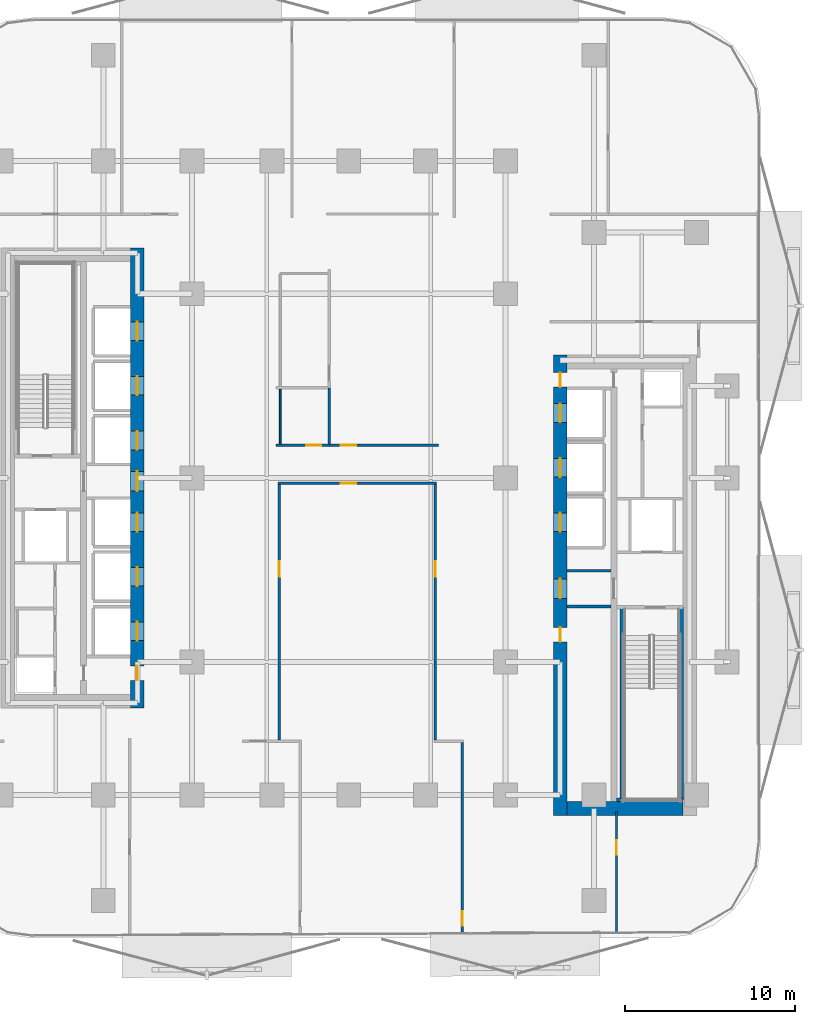
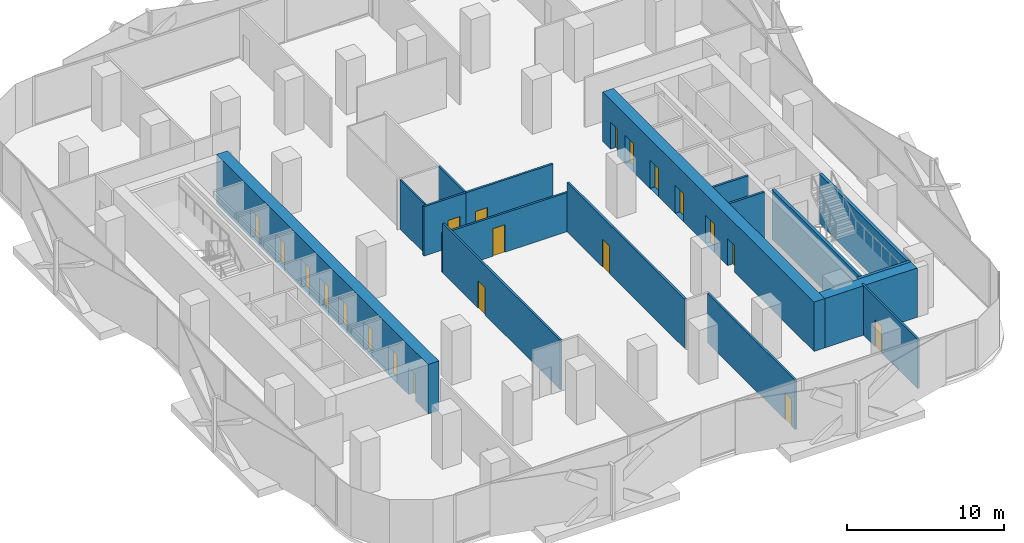
# One storey, part 4 of 16: 21 doors, 17 walls, 21 openings.
"""IFC4 building model written with IfcOpenShell, lengths in metres."""

from ifc_helpers import new_model, si_unit, direction, frame, frame_2d, origin, place, context, subcontext, project, spatial, rectangle, extrude, material, layer, layer_set, type_object, element, fill, save


model = new_model("IFC4")

# Units and contexts
model_context = context("Model", 3, precision=1e-05, world=origin(), true_north=direction((0.0, 1.0)))
body_context = subcontext(model_context, "Body", "Model", "MODEL_VIEW")
ifc_project = project(units=[si_unit("LENGTHUNIT", "METRE"), si_unit("AREAUNIT", "SQUARE_METRE"), si_unit("VOLUMEUNIT", "CUBIC_METRE"), si_unit("PLANEANGLEUNIT", "RADIAN"), si_unit("MASSUNIT", "GRAM", prefix="KILO")], contexts=[model_context])

# Site, building, storey
site_placement = place(None, origin())
site = spatial("IfcSite", under=ifc_project, at=site_placement, CompositionType="ELEMENT")
building_placement = place(site_placement, origin())
building = spatial("IfcBuilding", under=site, at=building_placement, Name="Khairoan Windgate Tower", CompositionType="ELEMENT")
storey_placement = place(building_placement, frame((0.0, 0.0, 80.60009765625)))
storey = spatial("IfcBuildingStorey", under=building, at=storey_placement, Name="L19", CompositionType="ELEMENT", Elevation=80.60009765625)

# Walls
ifc_material_1 = material(Name="Moisture-Resistant Gypsum Partition", Category="gypsum")
ifc_layer_1 = layer(ifc_material_1, 0.10009765625, Name="Moisture-Resistant Gypsum Partition")
ifc_layer_set_1 = layer_set([ifc_layer_1], Name="Moisture-Resistant Gypsum Partition")
wall_type_1 = type_object("IfcWallType", Name="Bathroom Wet-Area Partition Wall", PredefinedType="PARTITIONING", material=ifc_layer_set_1)
wall_1_placement = place(storey_placement, frame((-4.02001953125, 1.97998046875, 0.0), z_axis=(0.0, 0.0, 1.0), x_axis=(0.0, 1.0, 0.0)))
element("IfcWall", 1, at=wall_1_placement, inside=storey, type_object=wall_type_1, Name="L19 Wet Room Side Wall 040", PredefinedType="PARTITIONING", context=body_context, shape_type="SweptSolid", body=[
    extrude(rectangle(XDim=3.22998046875, YDim=0.10009765625, at=frame_2d((1.614990234375, 0.0))), origin(), (0.0, 0.0, 1.0), 3.849853515625),
])
ifc_material_2 = material(Name="Concrete C40/50", Category="concrete")
ifc_layer_2 = layer(ifc_material_2, 0.159912109375, Name="Concrete C40/50")
ifc_layer_set_2 = layer_set([ifc_layer_2], Name="Concrete C40/50")
wall_type_2 = type_object("IfcWallType", Name="Core and Hoistway Enclosure Wall", PredefinedType="STANDARD", material=ifc_layer_set_2)
for number, where, z_axis, x_axis, name in (
    (2, (12.800048828125, -5.449951171875, 0.0), (0.0, 0.0, 1.0), (1.0, 0.0, 0.0), "L19 Core Shaft Wall SW-EV1-L19"),
    (3, (12.800048828125, -7.5400390625, 0.0), (0.0, 0.0, 1.0), (1.0, 0.0, 0.0), "L19 Core Shaft Wall SW-EV2-L19"),
):
    element("IfcWall", number, at=place(storey_placement, frame(where, z_axis=z_axis, x_axis=x_axis)), inside=storey, type_object=wall_type_2, Name=name, PredefinedType="STANDARD", context=body_context, shape_type="SweptSolid", body=[
        extrude(rectangle(XDim=2.599853515625, YDim=0.159912109375, at=frame_2d((1.2998046875, 0.0))), origin(), (0.0, 0.0, 1.0), 3.849853515625),
    ])

# Wall, opening, door
ifc_material_3 = material(Name="Acoustic Fire-Rated Gypsum Partition", Category="gypsum")
ifc_layer_3 = layer(ifc_material_3, 0.139892578125, Name="Acoustic Fire-Rated Gypsum Partition")
ifc_layer_set_3 = layer_set([ifc_layer_3], Name="Acoustic Fire-Rated Gypsum Partition")
wall_type_3 = type_object("IfcWallType", Name="Inter-Tenancy Compartment Wall", PredefinedType="PARTITIONING", material=ifc_layer_set_3)
wall_2_placement = place(storey_placement, frame((6.6640625, -26.732421875, 0.0), z_axis=(0.0, 0.0, 1.0), x_axis=(0.0, 1.0, 0.0)))
wall_2 = element("IfcWall", 4, at=wall_2_placement, inside=storey, type_object=wall_type_3, Name="L19 Interior Partition 034", PredefinedType="PARTITIONING", context=body_context, shape_type="SweptSolid", body=[
    extrude(rectangle(XDim=11.197509765625, YDim=0.139892578125, at=frame_2d((5.5986328125, 0.0))), origin(), (0.0, 0.0, 1.0), 3.849853515625),
])
opening_1_placement = place(wall_2_placement, frame((0.4599609375, 0.0, 0.0)))
opening_1 = element("IfcOpeningElement", 5, at=opening_1_placement, cuts=wall_2, Name="Opening FD-SRV", PredefinedType="OPENING", context=body_context, shape_type="SweptSolid", body=[
    extrude(rectangle(XDim=0.85009765625, YDim=2.10009765625, at=frame_2d((0.425048828125, 1.050048828125))), frame((0.0, 0.079833984375, 0.0), z_axis=(0.0, -1.0, 0.0), x_axis=(1.0, 0.0, 0.0)), (0.0, 0.0, 1.0), 0.159912109375),
])
ifc_material_4 = material(Name="Steel S355", Category="steel")
door_type_1 = type_object("IfcDoorType", Name="Core Service and Riser Fire Door FD-SRV 850x2100", OperationType="NOTDEFINED", PredefinedType="DOOR", material=ifc_material_4)
door_1_placement = place(opening_1_placement, origin())
door_1 = element("IfcDoor", 6, at=door_1_placement, inside=storey, type_object=door_type_1, Name="L19 L19-45-L19-46 Door", OperationType="SINGLE_SWING_LEFT", OverallHeight=2.10009765625, OverallWidth=0.85009765625, PredefinedType="DOOR", context=body_context, shape_type="SweptSolid", body=[
    extrude(rectangle(XDim=0.85009765625, YDim=2.10009765625, at=frame_2d((0.425048828125, 1.050048828125))), frame((0.0, 0.02490234375, 0.0), z_axis=(0.0, -1.0, 0.0), x_axis=(1.0, 0.0, 0.0)), (0.0, 0.0, 1.0), 0.050048828125),
])
fill(opening_1, door_1)

wall_3_placement = place(storey_placement, frame((15.7080078125, -26.688720703125, 0.0), z_axis=(0.0, 0.0, 1.0), x_axis=(0.0, 1.0, 0.0)))
wall_3 = element("IfcWall", 7, at=wall_3_placement, inside=storey, type_object=wall_type_3, Name="L19 Interior Partition 035", PredefinedType="PARTITIONING", context=body_context, shape_type="SweptSolid", body=[
    extrude(rectangle(XDim=7.128662109375, YDim=0.139892578125, at=frame_2d((3.564453125, 0.0))), origin(), (0.0, 0.0, 1.0), 3.849853515625),
])
opening_2_placement = place(wall_3_placement, frame((4.58203125, 0.0, 0.0)))
opening_2 = element("IfcOpeningElement", 8, at=opening_2_placement, cuts=wall_3, Name="Opening FD-SRV", PredefinedType="OPENING", context=body_context, shape_type="SweptSolid", body=[
    extrude(rectangle(XDim=0.85009765625, YDim=2.10009765625, at=frame_2d((0.425048828125, 1.050048828125))), frame((0.0, 0.079833984375, 0.0), z_axis=(0.0, -1.0, 0.0), x_axis=(1.0, 0.0, 0.0)), (0.0, 0.0, 1.0), 0.159912109375),
])
door_2_placement = place(opening_2_placement, origin())
door_2 = element("IfcDoor", 9, at=door_2_placement, inside=storey, type_object=door_type_1, Name="L19 L19-46-L19-47 Door", OperationType="SINGLE_SWING_RIGHT", OverallHeight=2.10009765625, OverallWidth=0.85009765625, PredefinedType="DOOR", context=body_context, shape_type="SweptSolid", body=[
    extrude(rectangle(XDim=0.85009765625, YDim=2.10009765625, at=frame_2d((0.425048828125, 1.050048828125))), frame((0.0, 0.02490234375, 0.0), z_axis=(0.0, -1.0, 0.0), x_axis=(1.0, 0.0, 0.0)), (0.0, 0.0, 1.0), 0.050048828125),
])
fill(opening_2, door_2)

# Wall
wall_4_placement = place(storey_placement, frame((-1.139892578125, 1.97998046875, 0.0), z_axis=(0.0, 0.0, 1.0), x_axis=(0.0, 1.0, 0.0)))
element("IfcWall", 10, at=wall_4_placement, inside=storey, type_object=wall_type_3, Name="L19 Interior Partition 037", PredefinedType="PARTITIONING", context=body_context, shape_type="SweptSolid", body=[
    extrude(rectangle(XDim=3.300048828125, YDim=0.139892578125, at=frame_2d((1.64990234375, 0.0))), origin(), (0.0, 0.0, 1.0), 3.849853515625),
])

# Wall, opening, door
ifc_material_5 = material(Name="Acoustic Fire-Rated Gypsum Partition", Category="gypsum")
ifc_layer_4 = layer(ifc_material_5, 0.14990234375, Name="Acoustic Fire-Rated Gypsum Partition")
ifc_layer_set_4 = layer_set([ifc_layer_4], Name="Acoustic Fire-Rated Gypsum Partition")
wall_type_4 = type_object("IfcWallType", Name="Rated Corridor Partition Wall", PredefinedType="PARTITIONING", material=ifc_layer_set_4)
wall_5_placement = place(storey_placement, frame((-4.260009765625, 1.905029296875, 0.0), z_axis=(0.0, 0.0, 1.0), x_axis=(1.0, 0.0, 0.0)))
wall_5 = element("IfcWall", 11, at=wall_5_placement, inside=storey, type_object=wall_type_4, Name="L19 Interior Partition 010", PredefinedType="PARTITIONING", context=body_context, shape_type="SweptSolid", body=[
    extrude(rectangle(XDim=3.1201171875, YDim=0.14990234375, at=frame_2d((1.56005859375, 0.0))), origin(), (0.0, 0.0, 1.0), 3.849853515625),
])
opening_3_placement = place(wall_5_placement, frame((1.760009765625, 0.0, 0.0)))
opening_3 = element("IfcOpeningElement", 12, at=opening_3_placement, cuts=wall_5, Name="Opening FD-ENT", PredefinedType="OPENING", context=body_context, shape_type="SweptSolid", body=[
    extrude(rectangle(XDim=0.89990234375, YDim=2.14990234375, at=frame_2d((0.449951171875, 1.074951171875))), frame((0.0, 0.0849609375, 0.0), z_axis=(0.0, -1.0, 0.0), x_axis=(1.0, 0.0, 0.0)), (0.0, 0.0, 1.0), 0.169921875),
])
ifc_material_6 = material(Name="Timber Fire-Rated Core", Category="wood")
door_type_2 = type_object("IfcDoorType", Name="Unit and Office Fire Entrance Door FD-ENT 900x2150", OperationType="NOTDEFINED", PredefinedType="DOOR", material=ifc_material_6)
door_3_placement = place(opening_3_placement, origin())
door_3 = element("IfcDoor", 13, at=door_3_placement, inside=storey, type_object=door_type_2, Name="L19 L19-30-L19-48 Door", OperationType="SINGLE_SWING_RIGHT", OverallHeight=2.14990234375, OverallWidth=0.89990234375, PredefinedType="DOOR", context=body_context, shape_type="SweptSolid", body=[
    extrude(rectangle(XDim=0.89990234375, YDim=2.14990234375, at=frame_2d((0.449951171875, 1.074951171875))), frame((0.0, 0.02490234375, 0.0), z_axis=(0.0, -1.0, 0.0), x_axis=(1.0, 0.0, 0.0)), (0.0, 0.0, 1.0), 0.050048828125),
])
fill(opening_3, door_3)

wall_6_placement = place(storey_placement, frame((-1.139892578125, 1.905029296875, 0.0), z_axis=(0.0, 0.0, 1.0), x_axis=(1.0, 0.0, 0.0)))
wall_6 = element("IfcWall", 14, at=wall_6_placement, inside=storey, type_object=wall_type_4, Name="L19 Interior Partition 011", PredefinedType="PARTITIONING", context=body_context, shape_type="SweptSolid", body=[
    extrude(rectangle(XDim=6.39990234375, YDim=0.14990234375, at=frame_2d((3.199951171875, 0.0))), origin(), (0.0, 0.0, 1.0), 3.849853515625),
])
opening_4_placement = place(wall_6_placement, frame((0.668212890625, 0.0, 0.0)))
opening_4 = element("IfcOpeningElement", 15, at=opening_4_placement, cuts=wall_6, Name="Opening FD-ENT", PredefinedType="OPENING", context=body_context, shape_type="SweptSolid", body=[
    extrude(rectangle(XDim=0.89990234375, YDim=2.14990234375, at=frame_2d((0.449951171875, 1.074951171875))), frame((0.0, 0.0849609375, 0.0), z_axis=(0.0, -1.0, 0.0), x_axis=(1.0, 0.0, 0.0)), (0.0, 0.0, 1.0), 0.169921875),
])
door_4_placement = place(opening_4_placement, origin())
door_4 = element("IfcDoor", 16, at=door_4_placement, inside=storey, type_object=door_type_2, Name="L19 L19-30-L19-50 Door", OperationType="SINGLE_SWING_LEFT", OverallHeight=2.14990234375, OverallWidth=0.89990234375, PredefinedType="DOOR", context=body_context, shape_type="SweptSolid", body=[
    extrude(rectangle(XDim=0.89990234375, YDim=2.14990234375, at=frame_2d((0.449951171875, 1.074951171875))), frame((0.0, 0.02490234375, 0.0), z_axis=(0.0, -1.0, 0.0), x_axis=(1.0, 0.0, 0.0)), (0.0, 0.0, 1.0), 0.050048828125),
])
fill(opening_4, door_4)

wall_7_placement = place(storey_placement, frame((-4.159912109375, -0.304931640625, 0.0), z_axis=(0.0, 0.0, 1.0), x_axis=(1.0, 0.0, 0.0)))
wall_7 = element("IfcWall", 17, at=wall_7_placement, inside=storey, type_object=wall_type_4, Name="L19 Interior Partition 012", PredefinedType="PARTITIONING", context=body_context, shape_type="SweptSolid", body=[
    extrude(rectangle(XDim=9.31982421875, YDim=0.14990234375, at=frame_2d((4.659912109375, 0.0))), origin(), (0.0, 0.0, 1.0), 3.0498046875),
])
opening_5_placement = place(wall_7_placement, frame((3.703125, 0.0, 0.0)))
opening_5 = element("IfcOpeningElement", 18, at=opening_5_placement, cuts=wall_7, Name="Opening FD-ENT", PredefinedType="OPENING", context=body_context, shape_type="SweptSolid", body=[
    extrude(rectangle(XDim=0.89990234375, YDim=2.14990234375, at=frame_2d((0.449951171875, 1.074951171875))), frame((0.0, 0.0849609375, 0.0), z_axis=(0.0, -1.0, 0.0), x_axis=(1.0, 0.0, 0.0)), (0.0, 0.0, 1.0), 0.169921875),
])
door_5_placement = place(opening_5_placement, origin())
door_5 = element("IfcDoor", 19, at=door_5_placement, inside=storey, type_object=door_type_2, Name="L19 L19-30-L19-51 Door", OperationType="SINGLE_SWING_RIGHT", OverallHeight=2.14990234375, OverallWidth=0.89990234375, PredefinedType="DOOR", context=body_context, shape_type="SweptSolid", body=[
    extrude(rectangle(XDim=0.89990234375, YDim=2.14990234375, at=frame_2d((0.449951171875, 1.074951171875))), frame((0.0, 0.02490234375, 0.0), z_axis=(0.0, -1.0, 0.0), x_axis=(1.0, 0.0, 0.0)), (0.0, 0.0, 1.0), 0.050048828125),
])
fill(opening_5, door_5)

wall_8_placement = place(storey_placement, frame((-4.0849609375, -15.385009765625, 0.0), z_axis=(0.0, 0.0, 1.0), x_axis=(0.0, 1.0, 0.0)))
wall_8 = element("IfcWall", 20, at=wall_8_placement, inside=storey, type_object=wall_type_4, Name="L19 Interior Partition 014", PredefinedType="PARTITIONING", context=body_context, shape_type="SweptSolid", body=[
    extrude(rectangle(XDim=15.005126953125, YDim=0.14990234375, at=frame_2d((7.50244140625, 0.0))), origin(), (0.0, 0.0, 1.0), 3.849853515625),
])
opening_6_placement = place(wall_8_placement, frame((9.588134765625, 0.0, 0.0)))
opening_6 = element("IfcOpeningElement", 21, at=opening_6_placement, cuts=wall_8, Name="Opening FD-ENT", PredefinedType="OPENING", context=body_context, shape_type="SweptSolid", body=[
    extrude(rectangle(XDim=0.89990234375, YDim=2.14990234375, at=frame_2d((0.449951171875, 1.074951171875))), frame((0.0, 0.0849609375, 0.0), z_axis=(0.0, -1.0, 0.0), x_axis=(1.0, 0.0, 0.0)), (0.0, 0.0, 1.0), 0.169921875),
])
door_6_placement = place(opening_6_placement, origin())
door_6 = element("IfcDoor", 22, at=door_6_placement, inside=storey, type_object=door_type_2, Name="L19 L19-31-L19-51 Door", OperationType="SINGLE_SWING_RIGHT", OverallHeight=2.14990234375, OverallWidth=0.89990234375, PredefinedType="DOOR", context=body_context, shape_type="SweptSolid", body=[
    extrude(rectangle(XDim=0.89990234375, YDim=2.14990234375, at=frame_2d((0.449951171875, 1.074951171875))), frame((0.0, 0.02490234375, 0.0), z_axis=(0.0, -1.0, 0.0), x_axis=(1.0, 0.0, 0.0)), (0.0, 0.0, 1.0), 0.050048828125),
])
fill(opening_6, door_6)

wall_9_placement = place(storey_placement, frame((5.0849609375, -15.385009765625, 0.0), z_axis=(0.0, 0.0, 1.0), x_axis=(0.0, 1.0, 0.0)))
wall_9 = element("IfcWall", 23, at=wall_9_placement, inside=storey, type_object=wall_type_4, Name="L19 Interior Partition 016", PredefinedType="PARTITIONING", context=body_context, shape_type="SweptSolid", body=[
    extrude(rectangle(XDim=15.005126953125, YDim=0.14990234375, at=frame_2d((7.50244140625, 0.0))), origin(), (0.0, 0.0, 1.0), 3.849853515625),
])
opening_7_placement = place(wall_9_placement, frame((9.588134765625, 0.0, 0.0)))
opening_7 = element("IfcOpeningElement", 24, at=opening_7_placement, cuts=wall_9, Name="Opening FD-ENT", PredefinedType="OPENING", context=body_context, shape_type="SweptSolid", body=[
    extrude(rectangle(XDim=0.89990234375, YDim=2.14990234375, at=frame_2d((0.449951171875, 1.074951171875))), frame((0.0, 0.0849609375, 0.0), z_axis=(0.0, -1.0, 0.0), x_axis=(1.0, 0.0, 0.0)), (0.0, 0.0, 1.0), 0.169921875),
])
door_7_placement = place(opening_7_placement, origin())
door_7 = element("IfcDoor", 25, at=door_7_placement, inside=storey, type_object=door_type_2, Name="L19 L19-32-L19-51 Door", OperationType="SINGLE_SWING_RIGHT", OverallHeight=2.14990234375, OverallWidth=0.89990234375, PredefinedType="DOOR", context=body_context, shape_type="SweptSolid", body=[
    extrude(rectangle(XDim=0.89990234375, YDim=2.14990234375, at=frame_2d((0.449951171875, 1.074951171875))), frame((0.0, 0.02490234375, 0.0), z_axis=(0.0, -1.0, 0.0), x_axis=(1.0, 0.0, 0.0)), (0.0, 0.0, 1.0), 0.050048828125),
])
fill(opening_7, door_7)

# Wall, openings, doors
ifc_material_7 = material(Name="Concrete C70/85", Category="concrete")
ifc_layer_5 = layer(ifc_material_7, 0.800048828125, Name="Concrete C70/85")
ifc_layer_set_5 = layer_set([ifc_layer_5], Name="Concrete C70/85")
wall_type_5 = type_object("IfcWallType", Name="Shear Wall CW-E1 800mm", PredefinedType="SHEAR", material=ifc_layer_set_5)
wall_10_placement = place(storey_placement, frame((12.39990234375, -19.800048828125, 0.0), z_axis=(0.0, 0.0, 1.0), x_axis=(0.0, 1.0, 0.0)))
wall_10 = element("IfcWall", 26, at=wall_10_placement, inside=storey, type_object=wall_type_5, Name="E Core West Shear Wall L19", PredefinedType="SHEAR", context=body_context, shape_type="SweptSolid", body=[
    extrude(rectangle(XDim=27.0, YDim=0.800048828125, at=frame_2d((13.5, 0.0))), origin(), (0.0, 0.0, 1.0), 3.849853515625),
])
opening_8_placement = place(wall_10_placement, frame((23.050048828125, 0.0, 0.0)))
opening_8 = element("IfcOpeningElement", 27, at=opening_8_placement, cuts=wall_10, Name="Opening LD-PL", PredefinedType="OPENING", context=body_context, shape_type="SweptSolid", body=[
    extrude(rectangle(XDim=1.10009765625, YDim=2.199951171875, at=frame_2d((0.550048828125, 1.10009765625))), frame((0.0, 0.409912109375, 0.0), z_axis=(0.0, -1.0, 0.0), x_axis=(1.0, 0.0, 0.0)), (0.0, 0.0, 1.0), 0.820068359375),
])
opening_9_placement = place(wall_10_placement, frame((19.85009765625, 0.0, 0.0)))
opening_9 = element("IfcOpeningElement", 28, at=opening_9_placement, cuts=wall_10, Name="Opening LD-PL", PredefinedType="OPENING", context=body_context, shape_type="SweptSolid", body=[
    extrude(rectangle(XDim=1.10009765625, YDim=2.199951171875, at=frame_2d((0.550048828125, 1.10009765625))), frame((0.0, 0.409912109375, 0.0), z_axis=(0.0, -1.0, 0.0), x_axis=(1.0, 0.0, 0.0)), (0.0, 0.0, 1.0), 0.820068359375),
])
opening_10_placement = place(wall_10_placement, frame((16.64990234375, 0.0, 0.0)))
opening_10 = element("IfcOpeningElement", 29, at=opening_10_placement, cuts=wall_10, Name="Opening LD-PL", PredefinedType="OPENING", context=body_context, shape_type="SweptSolid", body=[
    extrude(rectangle(XDim=1.10009765625, YDim=2.199951171875, at=frame_2d((0.550048828125, 1.10009765625))), frame((0.0, 0.409912109375, 0.0), z_axis=(0.0, -1.0, 0.0), x_axis=(1.0, 0.0, 0.0)), (0.0, 0.0, 1.0), 0.820068359375),
])
opening_11_placement = place(wall_10_placement, frame((10.175048828125, 0.0, 0.0)))
opening_11 = element("IfcOpeningElement", 30, at=opening_11_placement, cuts=wall_10, Name="Opening FD-SRV", PredefinedType="OPENING", context=body_context, shape_type="SweptSolid", body=[
    extrude(rectangle(XDim=0.85009765625, YDim=2.10009765625, at=frame_2d((0.425048828125, 1.050048828125))), frame((0.0, 0.409912109375, 0.0), z_axis=(0.0, -1.0, 0.0), x_axis=(1.0, 0.0, 0.0)), (0.0, 0.0, 1.0), 0.820068359375),
])
opening_12_placement = place(wall_10_placement, frame((12.72509765625, 0.0, 0.0)))
opening_12 = element("IfcOpeningElement", 31, at=opening_12_placement, cuts=wall_10, Name="Opening FD-FFL", PredefinedType="OPENING", context=body_context, shape_type="SweptSolid", body=[
    extrude(rectangle(XDim=1.14990234375, YDim=2.199951171875, at=frame_2d((0.574951171875, 1.10009765625))), frame((0.0, 0.409912109375, 0.0), z_axis=(0.0, -1.0, 0.0), x_axis=(1.0, 0.0, 0.0)), (0.0, 0.0, 1.0), 0.820068359375),
])
opening_13_placement = place(wall_10_placement, frame((25.125, 0.0, 0.0)))
opening_13 = element("IfcOpeningElement", 32, at=opening_13_placement, cuts=wall_10, Name="Opening FD-SRV", PredefinedType="OPENING", context=body_context, shape_type="SweptSolid", body=[
    extrude(rectangle(XDim=0.85009765625, YDim=2.10009765625, at=frame_2d((0.425048828125, 1.050048828125))), frame((0.0, 0.409912109375, 0.0), z_axis=(0.0, -1.0, 0.0), x_axis=(1.0, 0.0, 0.0)), (0.0, 0.0, 1.0), 0.820068359375),
])
door_8_placement = place(opening_11_placement, origin())
door_8 = element("IfcDoor", 33, at=door_8_placement, inside=storey, type_object=door_type_1, Name="L19 East Core Service Room Door 1", OperationType="SINGLE_SWING_LEFT", OverallHeight=2.10009765625, OverallWidth=0.85009765625, PredefinedType="DOOR", context=body_context, shape_type="SweptSolid", body=[
    extrude(rectangle(XDim=0.85009765625, YDim=2.10009765625, at=frame_2d((0.425048828125, 1.050048828125))), frame((0.0, 0.02490234375, 0.0), z_axis=(0.0, -1.0, 0.0), x_axis=(1.0, 0.0, 0.0)), (0.0, 0.0, 1.0), 0.050048828125),
])
fill(opening_11, door_8)
door_9_placement = place(opening_13_placement, origin())
door_9 = element("IfcDoor", 34, at=door_9_placement, inside=storey, type_object=door_type_1, Name="L19 East Core Service Vestibule Outer Door", OperationType="SINGLE_SWING_RIGHT", OverallHeight=2.10009765625, OverallWidth=0.85009765625, PredefinedType="DOOR", context=body_context, shape_type="SweptSolid", body=[
    extrude(rectangle(XDim=0.85009765625, YDim=2.10009765625, at=frame_2d((0.425048828125, 1.050048828125))), frame((0.0, 0.02490234375, 0.0), z_axis=(0.0, -1.0, 0.0), x_axis=(1.0, 0.0, 0.0)), (0.0, 0.0, 1.0), 0.050048828125),
])
fill(opening_13, door_9)
ifc_material_8 = material(Name="Steel S355", Category="steel")
door_type_3 = type_object("IfcDoorType", Name="Firefighting Lobby Fire Door FD-FFL 1150x2200", OperationType="NOTDEFINED", PredefinedType="DOOR", material=ifc_material_8)
door_10_placement = place(opening_12_placement, origin())
door_10 = element("IfcDoor", 35, at=door_10_placement, inside=storey, type_object=door_type_3, Name="L19 East Core Vestibule Entry Door", OperationType="SINGLE_SWING_RIGHT", OverallHeight=2.199951171875, OverallWidth=1.14990234375, PredefinedType="DOOR", context=body_context, shape_type="SweptSolid", body=[
    extrude(rectangle(XDim=1.14990234375, YDim=2.199951171875, at=frame_2d((0.574951171875, 1.10009765625))), frame((0.0, 0.02490234375, 0.0), z_axis=(0.0, -1.0, 0.0), x_axis=(1.0, 0.0, 0.0)), (0.0, 0.0, 1.0), 0.050048828125),
])
fill(opening_12, door_10)
ifc_material_9 = material(Name="Anodised Bronze Aluminium 6063-T6", Category="aluminium")
door_type_4 = type_object("IfcDoorType", Name="Passenger Lift Sliding Landing Door LD-PL 1100x2200", OperationType="DOUBLE_DOOR_SLIDING", PredefinedType="DOOR", material=ifc_material_9)
door_11_placement = place(opening_8_placement, origin())
door_11 = element("IfcDoor", 36, at=door_11_placement, inside=storey, type_object=door_type_4, Name="L19 Lift PL7 Sliding Landing Door", OperationType="DOUBLE_DOOR_SLIDING", OverallHeight=2.199951171875, OverallWidth=1.10009765625, PredefinedType="DOOR", context=body_context, shape_type="SweptSolid", body=[
    extrude(rectangle(XDim=1.10009765625, YDim=2.199951171875, at=frame_2d((0.550048828125, 1.10009765625))), frame((0.0, 0.02490234375, 0.0), z_axis=(0.0, -1.0, 0.0), x_axis=(1.0, 0.0, 0.0)), (0.0, 0.0, 1.0), 0.050048828125),
])
fill(opening_8, door_11)
door_12_placement = place(opening_9_placement, origin())
door_12 = element("IfcDoor", 37, at=door_12_placement, inside=storey, type_object=door_type_4, Name="L19 Lift PL8 Sliding Landing Door", OperationType="DOUBLE_DOOR_SLIDING", OverallHeight=2.199951171875, OverallWidth=1.10009765625, PredefinedType="DOOR", context=body_context, shape_type="SweptSolid", body=[
    extrude(rectangle(XDim=1.10009765625, YDim=2.199951171875, at=frame_2d((0.550048828125, 1.10009765625))), frame((0.0, 0.02490234375, 0.0), z_axis=(0.0, -1.0, 0.0), x_axis=(1.0, 0.0, 0.0)), (0.0, 0.0, 1.0), 0.050048828125),
])
fill(opening_9, door_12)
door_13_placement = place(opening_10_placement, origin())
door_13 = element("IfcDoor", 38, at=door_13_placement, inside=storey, type_object=door_type_4, Name="L19 Lift PL9 Sliding Landing Door", OperationType="DOUBLE_DOOR_SLIDING", OverallHeight=2.199951171875, OverallWidth=1.10009765625, PredefinedType="DOOR", context=body_context, shape_type="SweptSolid", body=[
    extrude(rectangle(XDim=1.10009765625, YDim=2.199951171875, at=frame_2d((0.550048828125, 1.10009765625))), frame((0.0, 0.02490234375, 0.0), z_axis=(0.0, -1.0, 0.0), x_axis=(1.0, 0.0, 0.0)), (0.0, 0.0, 1.0), 0.050048828125),
])
fill(opening_10, door_13)

# Wall
wall_11_placement = place(storey_placement, frame((12.800048828125, -19.39990234375, 0.0), z_axis=(0.0, 0.0, 1.0), x_axis=(1.0, 0.0, 0.0)))
element("IfcWall", 39, at=wall_11_placement, inside=storey, type_object=wall_type_5, Name="E Core South Shear Wall L19", PredefinedType="SHEAR", context=body_context, shape_type="SweptSolid", body=[
    extrude(rectangle(XDim=6.800048828125, YDim=0.800048828125, at=frame_2d((3.39990234375, 0.0))), origin(), (0.0, 0.0, 1.0), 3.849853515625),
])

# Wall, openings, doors
ifc_material_10 = material(Name="Concrete C70/85", Category="concrete")
ifc_layer_6 = layer(ifc_material_10, 0.800048828125, Name="Concrete C70/85")
ifc_layer_set_6 = layer_set([ifc_layer_6], Name="Concrete C70/85")
wall_type_6 = type_object("IfcWallType", Name="Shear Wall CW-W1 800mm", PredefinedType="SHEAR", material=ifc_layer_set_6)
wall_12_placement = place(storey_placement, frame((-12.39990234375, -13.5, 0.0), z_axis=(0.0, 0.0, 1.0), x_axis=(0.0, 1.0, 0.0)))
wall_12 = element("IfcWall", 40, at=wall_12_placement, inside=storey, type_object=wall_type_6, Name="W Core East Shear Wall L19", PredefinedType="SHEAR", context=body_context, shape_type="SweptSolid", body=[
    extrude(rectangle(XDim=27.0, YDim=0.800048828125, at=frame_2d((13.5, 0.0))), origin(), (0.0, 0.0, 1.0), 3.849853515625),
])
opening_14_placement = place(wall_12_placement, frame((21.550048828125, 0.0, 0.0)))
opening_14 = element("IfcOpeningElement", 41, at=opening_14_placement, cuts=wall_12, Name="Opening LD-PL", PredefinedType="OPENING", context=body_context, shape_type="SweptSolid", body=[
    extrude(rectangle(XDim=1.10009765625, YDim=2.199951171875, at=frame_2d((0.550048828125, 1.10009765625))), frame((0.0, 0.409912109375, 0.0), z_axis=(0.0, -1.0, 0.0), x_axis=(1.0, 0.0, 0.0)), (0.0, 0.0, 1.0), 0.820068359375),
])
opening_15_placement = place(wall_12_placement, frame((18.35009765625, 0.0, 0.0)))
opening_15 = element("IfcOpeningElement", 42, at=opening_15_placement, cuts=wall_12, Name="Opening LD-PL", PredefinedType="OPENING", context=body_context, shape_type="SweptSolid", body=[
    extrude(rectangle(XDim=1.10009765625, YDim=2.199951171875, at=frame_2d((0.550048828125, 1.10009765625))), frame((0.0, 0.409912109375, 0.0), z_axis=(0.0, -1.0, 0.0), x_axis=(1.0, 0.0, 0.0)), (0.0, 0.0, 1.0), 0.820068359375),
])
opening_16_placement = place(wall_12_placement, frame((15.14990234375, 0.0, 0.0)))
opening_16 = element("IfcOpeningElement", 43, at=opening_16_placement, cuts=wall_12, Name="Opening LD-PL", PredefinedType="OPENING", context=body_context, shape_type="SweptSolid", body=[
    extrude(rectangle(XDim=1.10009765625, YDim=2.199951171875, at=frame_2d((0.550048828125, 1.10009765625))), frame((0.0, 0.409912109375, 0.0), z_axis=(0.0, -1.0, 0.0), x_axis=(1.0, 0.0, 0.0)), (0.0, 0.0, 1.0), 0.820068359375),
])
opening_17_placement = place(wall_12_placement, frame((10.35009765625, 0.0, 0.0)))
opening_17 = element("IfcOpeningElement", 44, at=opening_17_placement, cuts=wall_12, Name="Opening LD-PL", PredefinedType="OPENING", context=body_context, shape_type="SweptSolid", body=[
    extrude(rectangle(XDim=1.10009765625, YDim=2.199951171875, at=frame_2d((0.550048828125, 1.10009765625))), frame((0.0, 0.409912109375, 0.0), z_axis=(0.0, -1.0, 0.0), x_axis=(1.0, 0.0, 0.0)), (0.0, 0.0, 1.0), 0.820068359375),
])
opening_18_placement = place(wall_12_placement, frame((7.14990234375, 0.0, 0.0)))
opening_18 = element("IfcOpeningElement", 45, at=opening_18_placement, cuts=wall_12, Name="Opening LD-PL", PredefinedType="OPENING", context=body_context, shape_type="SweptSolid", body=[
    extrude(rectangle(XDim=1.10009765625, YDim=2.199951171875, at=frame_2d((0.550048828125, 1.10009765625))), frame((0.0, 0.409912109375, 0.0), z_axis=(0.0, -1.0, 0.0), x_axis=(1.0, 0.0, 0.0)), (0.0, 0.0, 1.0), 0.820068359375),
])
opening_19_placement = place(wall_12_placement, frame((3.949951171875, 0.0, 0.0)))
opening_19 = element("IfcOpeningElement", 46, at=opening_19_placement, cuts=wall_12, Name="Opening LD-PL", PredefinedType="OPENING", context=body_context, shape_type="SweptSolid", body=[
    extrude(rectangle(XDim=1.10009765625, YDim=2.199951171875, at=frame_2d((0.550048828125, 1.10009765625))), frame((0.0, 0.409912109375, 0.0), z_axis=(0.0, -1.0, 0.0), x_axis=(1.0, 0.0, 0.0)), (0.0, 0.0, 1.0), 0.820068359375),
])
opening_20_placement = place(wall_12_placement, frame((12.72509765625, 0.0, 0.0)))
opening_20 = element("IfcOpeningElement", 47, at=opening_20_placement, cuts=wall_12, Name="Opening FD-FFL", PredefinedType="OPENING", context=body_context, shape_type="SweptSolid", body=[
    extrude(rectangle(XDim=1.14990234375, YDim=2.199951171875, at=frame_2d((0.574951171875, 1.10009765625))), frame((0.0, 0.409912109375, 0.0), z_axis=(0.0, -1.0, 0.0), x_axis=(1.0, 0.0, 0.0)), (0.0, 0.0, 1.0), 0.820068359375),
])
opening_21_placement = place(wall_12_placement, frame((1.625, 0.0, 0.0)))
opening_21 = element("IfcOpeningElement", 48, at=opening_21_placement, cuts=wall_12, Name="Opening FD-SRV", PredefinedType="OPENING", context=body_context, shape_type="SweptSolid", body=[
    extrude(rectangle(XDim=0.85009765625, YDim=2.10009765625, at=frame_2d((0.425048828125, 1.050048828125))), frame((0.0, 0.409912109375, 0.0), z_axis=(0.0, -1.0, 0.0), x_axis=(1.0, 0.0, 0.0)), (0.0, 0.0, 1.0), 0.820068359375),
])
door_14_placement = place(opening_21_placement, origin())
door_14 = element("IfcDoor", 49, at=door_14_placement, inside=storey, type_object=door_type_1, Name="L19 West Core Service Vestibule Outer Door", OperationType="SINGLE_SWING_RIGHT", OverallHeight=2.10009765625, OverallWidth=0.85009765625, PredefinedType="DOOR", context=body_context, shape_type="SweptSolid", body=[
    extrude(rectangle(XDim=0.85009765625, YDim=2.10009765625, at=frame_2d((0.425048828125, 1.050048828125))), frame((0.0, 0.02490234375, 0.0), z_axis=(0.0, -1.0, 0.0), x_axis=(1.0, 0.0, 0.0)), (0.0, 0.0, 1.0), 0.050048828125),
])
fill(opening_21, door_14)
door_15_placement = place(opening_20_placement, origin())
door_15 = element("IfcDoor", 50, at=door_15_placement, inside=storey, type_object=door_type_3, Name="L19 West Core Vestibule Entry Door", OperationType="SINGLE_SWING_RIGHT", OverallHeight=2.199951171875, OverallWidth=1.14990234375, PredefinedType="DOOR", context=body_context, shape_type="SweptSolid", body=[
    extrude(rectangle(XDim=1.14990234375, YDim=2.199951171875, at=frame_2d((0.574951171875, 1.10009765625))), frame((0.0, 0.02490234375, 0.0), z_axis=(0.0, -1.0, 0.0), x_axis=(1.0, 0.0, 0.0)), (0.0, 0.0, 1.0), 0.050048828125),
])
fill(opening_20, door_15)
door_16_placement = place(opening_14_placement, origin())
door_16 = element("IfcDoor", 51, at=door_16_placement, inside=storey, type_object=door_type_4, Name="L19 Lift PL1 Sliding Landing Door", OperationType="DOUBLE_DOOR_SLIDING", OverallHeight=2.199951171875, OverallWidth=1.10009765625, PredefinedType="DOOR", context=body_context, shape_type="SweptSolid", body=[
    extrude(rectangle(XDim=1.10009765625, YDim=2.199951171875, at=frame_2d((0.550048828125, 1.10009765625))), frame((0.0, 0.02490234375, 0.0), z_axis=(0.0, -1.0, 0.0), x_axis=(1.0, 0.0, 0.0)), (0.0, 0.0, 1.0), 0.050048828125),
])
fill(opening_14, door_16)
door_17_placement = place(opening_15_placement, origin())
door_17 = element("IfcDoor", 52, at=door_17_placement, inside=storey, type_object=door_type_4, Name="L19 Lift PL2 Sliding Landing Door", OperationType="DOUBLE_DOOR_SLIDING", OverallHeight=2.199951171875, OverallWidth=1.10009765625, PredefinedType="DOOR", context=body_context, shape_type="SweptSolid", body=[
    extrude(rectangle(XDim=1.10009765625, YDim=2.199951171875, at=frame_2d((0.550048828125, 1.10009765625))), frame((0.0, 0.02490234375, 0.0), z_axis=(0.0, -1.0, 0.0), x_axis=(1.0, 0.0, 0.0)), (0.0, 0.0, 1.0), 0.050048828125),
])
fill(opening_15, door_17)
door_18_placement = place(opening_16_placement, origin())
door_18 = element("IfcDoor", 53, at=door_18_placement, inside=storey, type_object=door_type_4, Name="L19 Lift PL3 Sliding Landing Door", OperationType="DOUBLE_DOOR_SLIDING", OverallHeight=2.199951171875, OverallWidth=1.10009765625, PredefinedType="DOOR", context=body_context, shape_type="SweptSolid", body=[
    extrude(rectangle(XDim=1.10009765625, YDim=2.199951171875, at=frame_2d((0.550048828125, 1.10009765625))), frame((0.0, 0.02490234375, 0.0), z_axis=(0.0, -1.0, 0.0), x_axis=(1.0, 0.0, 0.0)), (0.0, 0.0, 1.0), 0.050048828125),
])
fill(opening_16, door_18)
door_19_placement = place(opening_17_placement, origin())
door_19 = element("IfcDoor", 54, at=door_19_placement, inside=storey, type_object=door_type_4, Name="L19 Lift PL4 Sliding Landing Door", OperationType="DOUBLE_DOOR_SLIDING", OverallHeight=2.199951171875, OverallWidth=1.10009765625, PredefinedType="DOOR", context=body_context, shape_type="SweptSolid", body=[
    extrude(rectangle(XDim=1.10009765625, YDim=2.199951171875, at=frame_2d((0.550048828125, 1.10009765625))), frame((0.0, 0.02490234375, 0.0), z_axis=(0.0, -1.0, 0.0), x_axis=(1.0, 0.0, 0.0)), (0.0, 0.0, 1.0), 0.050048828125),
])
fill(opening_17, door_19)
door_20_placement = place(opening_18_placement, origin())
door_20 = element("IfcDoor", 55, at=door_20_placement, inside=storey, type_object=door_type_4, Name="L19 Lift PL5 Sliding Landing Door", OperationType="DOUBLE_DOOR_SLIDING", OverallHeight=2.199951171875, OverallWidth=1.10009765625, PredefinedType="DOOR", context=body_context, shape_type="SweptSolid", body=[
    extrude(rectangle(XDim=1.10009765625, YDim=2.199951171875, at=frame_2d((0.550048828125, 1.10009765625))), frame((0.0, 0.02490234375, 0.0), z_axis=(0.0, -1.0, 0.0), x_axis=(1.0, 0.0, 0.0)), (0.0, 0.0, 1.0), 0.050048828125),
])
fill(opening_18, door_20)
door_21_placement = place(opening_19_placement, origin())
door_21 = element("IfcDoor", 56, at=door_21_placement, inside=storey, type_object=door_type_4, Name="L19 Lift PL6 Sliding Landing Door", OperationType="DOUBLE_DOOR_SLIDING", OverallHeight=2.199951171875, OverallWidth=1.10009765625, PredefinedType="DOOR", context=body_context, shape_type="SweptSolid", body=[
    extrude(rectangle(XDim=1.10009765625, YDim=2.199951171875, at=frame_2d((0.550048828125, 1.10009765625))), frame((0.0, 0.02490234375, 0.0), z_axis=(0.0, -1.0, 0.0), x_axis=(1.0, 0.0, 0.0)), (0.0, 0.0, 1.0), 0.050048828125),
])
fill(opening_19, door_21)

# Walls
ifc_material_11 = material(Name="Concrete C50/60", Category="concrete")
ifc_layer_7 = layer(ifc_material_11, 0.219970703125, Name="Concrete C50/60")
ifc_layer_set_7 = layer_set([ifc_layer_7], Name="Concrete C50/60")
wall_type_7 = type_object("IfcWallType", Name="Shear Wall SW-ST 220mm", PredefinedType="SHEAR", material=ifc_layer_set_7)
for number, where, z_axis, x_axis, name in (
    (57, (16.0400390625, -18.889892578125, 0.0), (0.0, 0.0, 1.0), (0.0, 1.0, 0.0), "L19 Stair ST1 West Bearing Wall"),
    (58, (19.530029296875, -18.889892578125, 0.0), (0.0, 0.0, 1.0), (0.0, 1.0, 0.0), "L19 Stair ST1 East Bearing Wall"),
):
    element("IfcWall", number, at=place(storey_placement, frame(where, z_axis=z_axis, x_axis=x_axis)), inside=storey, type_object=wall_type_7, Name=name, PredefinedType="SHEAR", context=body_context, shape_type="SweptSolid", body=[
        extrude(rectangle(XDim=11.2998046875, YDim=0.219970703125, at=frame_2d((5.64990234375, 0.0))), origin(), (0.0, 0.0, 1.0), 3.849853515625),
    ])
wall_13_placement = place(storey_placement, frame((15.705078125, -18.889892578125, 0.0), z_axis=(0.0, 0.0, 1.0), x_axis=(1.0, 0.0, 0.0)))
element("IfcWall", 59, at=wall_13_placement, inside=storey, type_object=wall_type_7, Name="L19 Stair ST1 South Bearing Wall", PredefinedType="SHEAR", context=body_context, shape_type="SweptSolid", body=[
    extrude(rectangle(XDim=3.9150390625, YDim=0.219970703125, at=frame_2d((1.95751953125, 0.0))), origin(), (0.0, 0.0, 1.0), 3.849853515625),
])

save(model, "model.ifc")
